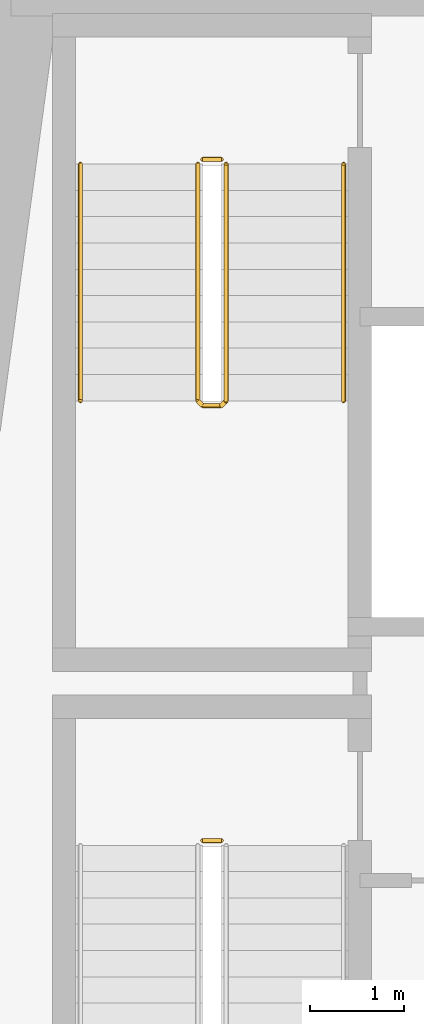
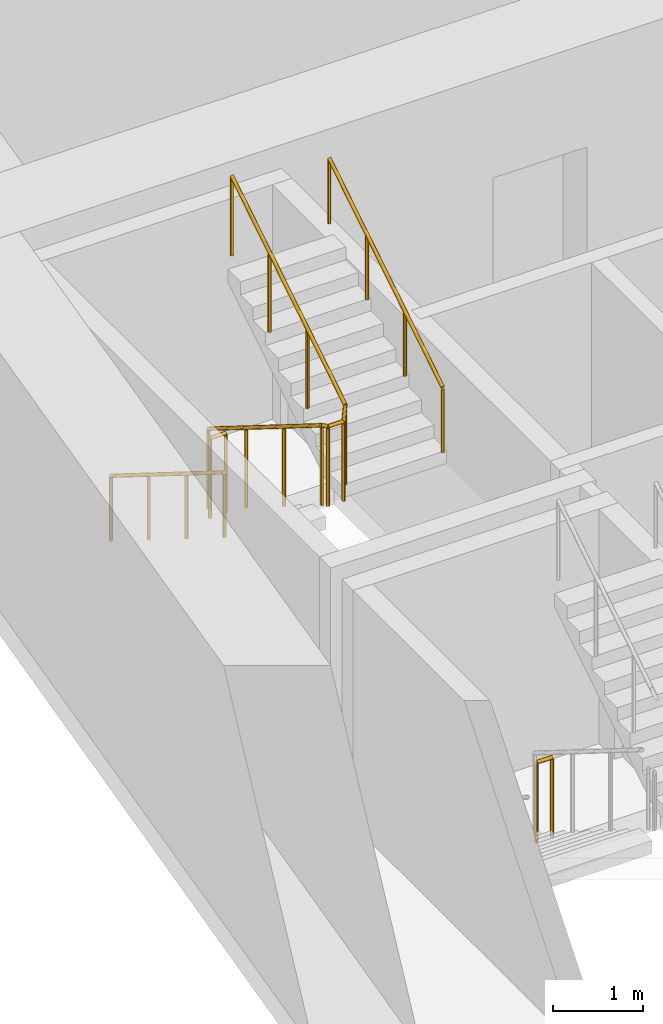
# One storey, part 10 of 13: 5 railings.
"""IFC4 building model written with IfcOpenShell, lengths in metres."""

from ifc_helpers import new_model, si_unit, direction, frame, origin, origin_2d, place, context, subcontext, project, spatial, circle, extrude, material, type_object, element, save


model = new_model("IFC4")

# Units and contexts
model_context = context("Model", 3, precision=1e-05, world=origin(), true_north=direction((0.0, 1.0)))
body_context = subcontext(model_context, "Body", "Model", "MODEL_VIEW")
ifc_project = project(units=[si_unit("LENGTHUNIT", "METRE"), si_unit("AREAUNIT", "SQUARE_METRE"), si_unit("VOLUMEUNIT", "CUBIC_METRE"), si_unit("PLANEANGLEUNIT", "RADIAN"), si_unit("MASSUNIT", "GRAM", prefix="KILO")], contexts=[model_context])

# Site, building, storey
site_placement = place(None, origin())
site = spatial("IfcSite", under=ifc_project, at=site_placement, CompositionType="ELEMENT")
building_placement = place(site_placement, origin())
building = spatial("IfcBuilding", under=site, at=building_placement, Name="Candeia Pilgrim Tower and Theatre", CompositionType="ELEMENT")
storey_placement = place(building_placement, frame((0.0, 0.0, 60.0)))
storey = spatial("IfcBuildingStorey", under=building, at=storey_placement, Name="L12", CompositionType="ELEMENT", Elevation=60.0)

# Railings
ifc_material_1 = material(Name="Stainless steel balustrade", Category="steel")
railing_type_1 = type_object("IfcRailingType", Name="RL-GUARD-1100", PredefinedType="GUARDRAIL", material=ifc_material_1)
railing_1_placement = place(storey_placement, frame((91.152099609375, 122.52490234375, 0.0)))
element("IfcRailing", 1, at=railing_1_placement, inside=storey, type_object=railing_type_1, Name="L12 ST1 stair guard 2", PredefinedType="GUARDRAIL", context=body_context, shape_type="SweptSolid", body=[
    extrude(circle(Radius=0.02392578125, at=origin_2d()), frame((0.0, 0.0, 1.076171875), z_axis=(1.0, 0.0, 0.0), x_axis=(0.0, 1.0, 0.0)), (0.0, 0.0, 1.0), 0.199951171875),
    extrude(circle(Radius=0.02099609375, at=origin_2d()), origin(), (0.0, 0.0, 1.0), 1.052001953125),
    extrude(circle(Radius=0.02099609375, at=origin_2d()), frame((0.199951171875, 0.0, 0.0)), (0.0, 0.0, 1.0), 1.052001953125),
])
railing_2_placement = place(storey_placement, frame((91.10205078125, 129.72509765625, 0.175048828125)))
element("IfcRailing", 2, at=railing_2_placement, inside=storey, type_object=railing_type_1, Name="L12 ST2 stair guard 1", PredefinedType="GUARDRAIL", context=body_context, shape_type="SweptSolid", body=[
    extrude(circle(Radius=0.02392578125, at=origin_2d()), frame((0.0, 0.0, 1.076171875), z_axis=(0.0, -0.848007534815, 0.529984170421), x_axis=(1.0, 0.0, 0.0)), (0.0, 0.0, 1.0), 2.9716796875),
    extrude(circle(Radius=0.02392578125, at=origin_2d()), frame((0.0, -2.52001953125, 2.65087890625), z_axis=(0.707106781187, -0.707106781187, 0.0), x_axis=(0.707106781187, 0.707106781187, 0.0)), (0.0, 0.0, 1.0), 0.07080078125),
    extrude(circle(Radius=0.02392578125, at=origin_2d()), frame((0.050048828125, -2.570068359375, 2.65087890625), z_axis=(1.0, 0.0, 0.0), x_axis=(0.0, 1.0, 0.0)), (0.0, 0.0, 1.0), 0.199951171875),
    extrude(circle(Radius=0.02392578125, at=origin_2d()), frame((0.25, -2.570068359375, 2.65087890625), z_axis=(0.265065253269, 0.265065253269, 0.927081885822), x_axis=(-0.707106781187, 0.707106781187, 0.0)), (0.0, 0.0, 1.0), 0.188720703125),
    extrude(circle(Radius=0.02392578125, at=origin_2d()), frame((0.300048828125, -2.52001953125, 2.826171875), z_axis=(0.0, 0.848007534815, 0.529984170421), x_axis=(-1.0, 0.0, 0.0)), (0.0, 0.0, 1.0), 2.9716796875),
    extrude(circle(Radius=0.02099609375, at=origin_2d()), origin(), (0.0, 0.0, 1.0), 1.052001953125),
    extrude(circle(Radius=0.02099609375, at=origin_2d()), frame((0.0, -0.840087890625, 0.52490234375)), (0.0, 0.0, 1.0), 1.052001953125),
    extrude(circle(Radius=0.02099609375, at=origin_2d()), frame((0.0, -1.679931640625, 1.050048828125)), (0.0, 0.0, 1.0), 1.052001953125),
    extrude(circle(Radius=0.02099609375, at=origin_2d()), frame((0.0, -2.52001953125, 1.574951171875)), (0.0, 0.0, 1.0), 1.052001953125),
    extrude(circle(Radius=0.02099609375, at=origin_2d()), frame((0.050048828125, -2.570068359375, 1.574951171875)), (0.0, 0.0, 1.0), 1.052001953125),
    extrude(circle(Radius=0.02099609375, at=origin_2d()), frame((0.25, -2.570068359375, 1.574951171875)), (0.0, 0.0, 1.0), 1.052001953125),
    extrude(circle(Radius=0.02099609375, at=origin_2d()), frame((0.300048828125, -2.52001953125, 1.75)), (0.0, 0.0, 1.0), 1.052001953125),
    extrude(circle(Radius=0.02099609375, at=origin_2d()), frame((0.300048828125, -1.679931640625, 2.27490234375)), (0.0, 0.0, 1.0), 1.052001953125),
    extrude(circle(Radius=0.02099609375, at=origin_2d()), frame((0.300048828125, -0.840087890625, 2.800048828125)), (0.0, 0.0, 1.0), 1.052001953125),
    extrude(circle(Radius=0.02099609375, at=origin_2d()), frame((0.300048828125, 0.0, 3.324951171875)), (0.0, 0.0, 1.0), 1.052001953125),
])
railing_3_placement = place(storey_placement, frame((91.152099609375, 129.77490234375, 0.0)))
element("IfcRailing", 3, at=railing_3_placement, inside=storey, type_object=railing_type_1, Name="L12 ST2 stair guard 2", PredefinedType="GUARDRAIL", context=body_context, shape_type="SweptSolid", body=[
    extrude(circle(Radius=0.02392578125, at=origin_2d()), frame((0.0, 0.0, 1.076171875), z_axis=(1.0, 0.0, 0.0), x_axis=(0.0, 1.0, 0.0)), (0.0, 0.0, 1.0), 0.199951171875),
    extrude(circle(Radius=0.02099609375, at=origin_2d()), origin(), (0.0, 0.0, 1.0), 1.052001953125),
    extrude(circle(Radius=0.02099609375, at=origin_2d()), frame((0.199951171875, 0.0, 0.0)), (0.0, 0.0, 1.0), 1.052001953125),
])
ifc_material_2 = material(Name="Stainless steel handrail", Category="steel")
railing_type_2 = type_object("IfcRailingType", Name="RL-HANDRAIL-900", PredefinedType="HANDRAIL", material=ifc_material_2)
railing_4_placement = place(storey_placement, frame((89.85205078125, 129.72509765625, 0.175048828125)))
element("IfcRailing", 4, at=railing_4_placement, inside=storey, type_object=railing_type_2, Name="L12 ST2 stair handrail 1", PredefinedType="HANDRAIL", context=body_context, shape_type="SweptSolid", body=[
    extrude(circle(Radius=0.02392578125, at=origin_2d()), frame((0.0, 0.0, 0.8759765625), z_axis=(0.0, -0.848007534815, 0.529984170421), x_axis=(1.0, 0.0, 0.0)), (0.0, 0.0, 1.0), 2.9716796875),
    extrude(circle(Radius=0.02099609375, at=origin_2d()), origin(), (0.0, 0.0, 1.0), 0.851806640625),
    extrude(circle(Radius=0.02099609375, at=origin_2d()), frame((0.0, -0.840087890625, 0.52490234375)), (0.0, 0.0, 1.0), 0.851806640625),
    extrude(circle(Radius=0.02099609375, at=origin_2d()), frame((0.0, -1.679931640625, 1.050048828125)), (0.0, 0.0, 1.0), 0.851806640625),
    extrude(circle(Radius=0.02099609375, at=origin_2d()), frame((0.0, -2.52001953125, 1.574951171875)), (0.0, 0.0, 1.0), 0.851806640625),
])
railing_5_placement = place(storey_placement, frame((92.652099609375, 127.205078125, 1.925048828125)))
element("IfcRailing", 5, at=railing_5_placement, inside=storey, type_object=railing_type_2, Name="L12 ST2 stair handrail 2", PredefinedType="HANDRAIL", context=body_context, shape_type="SweptSolid", body=[
    extrude(circle(Radius=0.02392578125, at=origin_2d()), frame((0.0, 0.0, 0.8759765625), z_axis=(0.0, 0.848007534815, 0.529984170421), x_axis=(-1.0, 0.0, 0.0)), (0.0, 0.0, 1.0), 2.9716796875),
    extrude(circle(Radius=0.02099609375, at=origin_2d()), origin(), (0.0, 0.0, 1.0), 0.851806640625),
    extrude(circle(Radius=0.02099609375, at=origin_2d()), frame((0.0, 0.840087890625, 0.52490234375)), (0.0, 0.0, 1.0), 0.851806640625),
    extrude(circle(Radius=0.02099609375, at=origin_2d()), frame((0.0, 1.679931640625, 1.050048828125)), (0.0, 0.0, 1.0), 0.851806640625),
    extrude(circle(Radius=0.02099609375, at=origin_2d()), frame((0.0, 2.52001953125, 1.574951171875)), (0.0, 0.0, 1.0), 0.851806640625),
])

save(model, "model.ifc")
